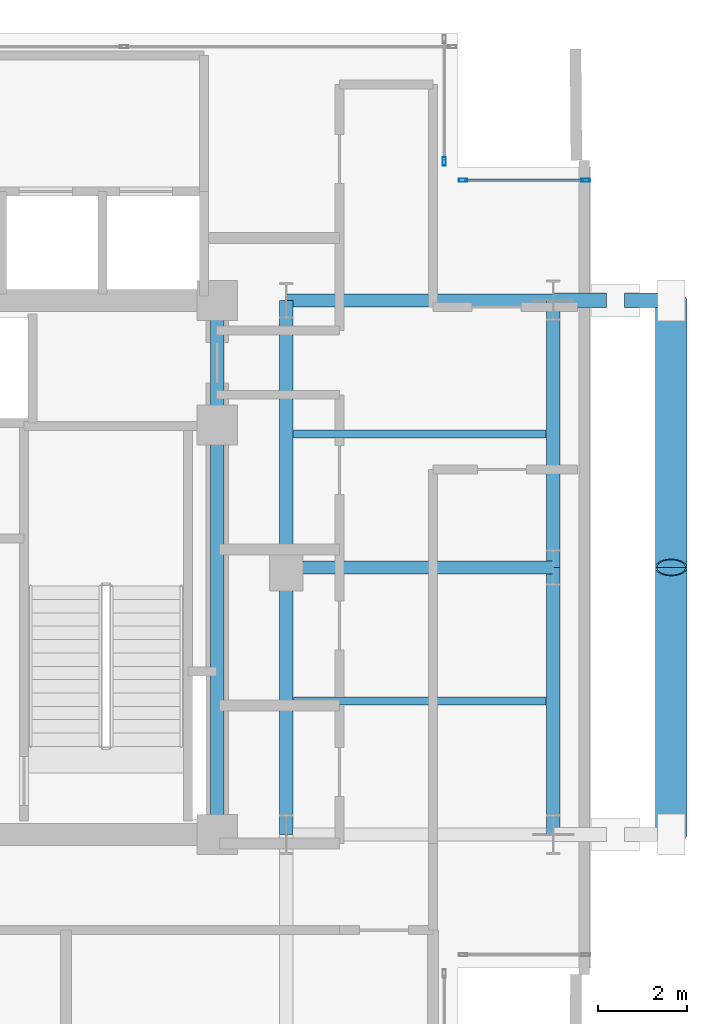
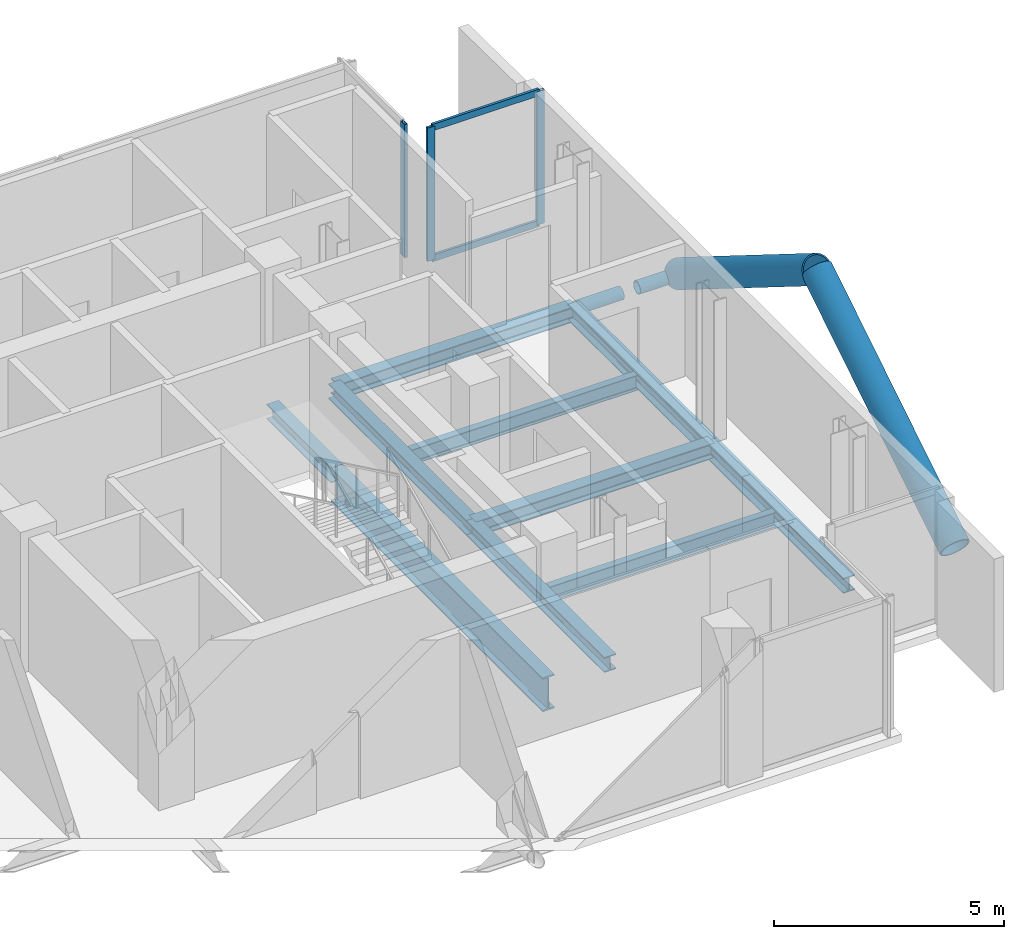
# One storey, part 11 of 21: 10 beams, 9 members, 2 elements without a shape of their own.
"""IFC4 building model written with IfcOpenShell, lengths in metres."""

from ifc_helpers import new_model, si_unit, direction, frame, origin, origin_2d, place, context, subcontext, project, spatial, hollow_rectangle, hollow_circle, i_section, extrude, material, layer, layer_set, material_profile, profile_set, type_object, element, aggregate, save


model = new_model("IFC4")

# Units and contexts
model_context = context("Model", 3, precision=1e-05, world=origin(), true_north=direction((0.0, 1.0)))
body_context = subcontext(model_context, "Body", "Model", "MODEL_VIEW")
ifc_project = project(units=[si_unit("LENGTHUNIT", "METRE"), si_unit("AREAUNIT", "SQUARE_METRE"), si_unit("VOLUMEUNIT", "CUBIC_METRE"), si_unit("PLANEANGLEUNIT", "RADIAN"), si_unit("MASSUNIT", "GRAM", prefix="KILO"), si_unit("THERMODYNAMICTEMPERATUREUNIT", "KELVIN"), si_unit("POWERUNIT", "WATT")], contexts=[model_context])

# Site, building, storey
site_placement = place(None, origin())
site = spatial("IfcSite", under=ifc_project, at=site_placement, CompositionType="ELEMENT")
building_placement = place(site_placement, origin())
building = spatial("IfcBuilding", under=site, at=building_placement, Name="Svarakhadi Broadcast Tower", CompositionType="ELEMENT")
storey_placement = place(building_placement, frame((0.0, 0.0, 187.949951171875)))
storey = spatial("IfcBuildingStorey", under=building, at=storey_placement, Name="L46", CompositionType="ELEMENT", Elevation=187.949951171875)

# Beams
ifc_material_1 = material(Name="Steel S355J2 (IS 2062 E350C)", Category="steel")
ifc_material_profile_1 = material_profile(ifc_material_1, i_section(OverallWidth=0.179931640625, OverallDepth=0.39990234375, WebThickness=0.008544921875, FlangeThickness=0.013427734375, FilletRadius=0.02099609375, at=origin_2d()), Name="NPB 400x180x66")
ifc_profile_set_1 = profile_set([ifc_material_profile_1], Name="Steel S355J2 (IS 2062 E350C)")
beam_type_1 = type_object("IfcBeamType", Name="Beam_NPB400", PredefinedType="BEAM", material=ifc_profile_set_1)
for number, where, z_axis, x_axis, name in (
    (1, (35.31005859375, 9.0, -0.409912109375), (1.0, 0.0, 0.0), (0.0, 1.0, 0.0), "L46 Secondary Composite Beam SB016"),
    (2, (35.31005859375, 15.0, -0.409912109375), (1.0, 0.0, 0.0), (0.0, 1.0, 0.0), "L46 Secondary Composite Beam SB017"),
):
    element("IfcBeam", number, at=place(storey_placement, frame(where, z_axis=z_axis, x_axis=x_axis)), inside=storey, type_object=beam_type_1, Name=name, PredefinedType="BEAM", context=body_context, shape_type="SweptSolid", body=[
        extrude(i_section(OverallWidth=0.179931640625, OverallDepth=0.39990234375, WebThickness=0.008544921875, FlangeThickness=0.013427734375, FilletRadius=0.02099609375, at=origin_2d()), origin(), (0.0, 0.0, 1.0), 5.679931640625),
    ])

# Curtain wall, member
ifc_material_2 = material(Name="Anodised Bronze Aluminium AA 6063-T6", Category="aluminium")
ifc_layer = layer(ifc_material_2, 0.18994140625)
ifc_layer_set = layer_set([ifc_layer], Name="Anodised Bronze Aluminium AA 6063-T6")
curtain_wall_type = type_object("IfcCurtainWallType", Name="CW_Sys_04", PredefinedType="NOTDEFINED", material=ifc_layer_set)
curtain_wall_1_placement = place(storey_placement, origin())
curtain_wall_1 = element("IfcCurtainWall", 3, at=curtain_wall_1_placement, inside=storey, type_object=curtain_wall_type, Name="L46 Unitised Facade Curtain Wall 11", PredefinedType="NOTDEFINED")
ifc_material_profile_2 = material_profile(ifc_material_2, hollow_rectangle(XDim=0.070068359375, YDim=0.18994140625, WallThickness=0.005615234375, at=origin_2d()), Name="ALU MULLION 190x70x6")
ifc_profile_set_2 = profile_set([ifc_material_profile_2], Name="Anodised Bronze Aluminium AA 6063-T6")
member_type_1 = type_object("IfcMemberType", Name="CW_Sys_04_Mul", PredefinedType="MULLION", material=ifc_profile_set_2)
member_1_placement = place(storey_placement, frame((38.699951171875, 21.125, 0.0), z_axis=(0.0, 0.0, 1.0), x_axis=(1.0, 0.0, 0.0)))
member_1 = element("IfcMember", 4, at=member_1_placement, type_object=member_type_1, Name="CW-04 mullion 2", PredefinedType="MULLION", context=body_context, shape_type="SweptSolid", body=[
    extrude(hollow_rectangle(XDim=0.070068359375, YDim=0.18994140625, WallThickness=0.005615234375, at=origin_2d()), origin(), (0.0, 0.0, 1.0), 3.5400390625),
])
aggregate(curtain_wall_1, [member_1])

# Curtain wall, members
curtain_wall_2_placement = place(storey_placement, origin())
curtain_wall_2 = element("IfcCurtainWall", 5, at=curtain_wall_2_placement, inside=storey, type_object=curtain_wall_type, Name="L46 Unitised Facade Curtain Wall 12", PredefinedType="NOTDEFINED")
member_2_placement = place(storey_placement, frame((39.125, 20.699951171875, 0.0), z_axis=(0.0, 0.0, 1.0), x_axis=(0.0, 1.0, 0.0)))
member_2 = element("IfcMember", 6, at=member_2_placement, type_object=member_type_1, Name="CW-04 mullion 1", PredefinedType="MULLION", context=body_context, shape_type="SweptSolid", body=[
    extrude(hollow_rectangle(XDim=0.070068359375, YDim=0.18994140625, WallThickness=0.005615234375, at=origin_2d()), origin(), (0.0, 0.0, 1.0), 3.5400390625),
])
member_3_placement = place(storey_placement, frame((41.875, 20.699951171875, 0.0), z_axis=(0.0, 0.0, 1.0), x_axis=(0.0, 1.0, 0.0)))
member_3 = element("IfcMember", 7, at=member_3_placement, type_object=member_type_1, Name="CW-04 mullion 2", PredefinedType="MULLION", context=body_context, shape_type="SweptSolid", body=[
    extrude(hollow_rectangle(XDim=0.070068359375, YDim=0.18994140625, WallThickness=0.005615234375, at=origin_2d()), origin(), (0.0, 0.0, 1.0), 3.5400390625),
])
ifc_material_profile_3 = material_profile(ifc_material_2, hollow_rectangle(XDim=0.06494140625, YDim=0.175048828125, WallThickness=0.0048828125, at=origin_2d()), Name="ALU TRANSOM 175x65x5")
ifc_profile_set_3 = profile_set([ifc_material_profile_3], Name="Anodised Bronze Aluminium AA 6063-T6")
member_type_2 = type_object("IfcMemberType", Name="CW_Sys_04_Trn", PredefinedType="USERDEFINED", material=ifc_profile_set_3)
member_4_placement = place(storey_placement, frame((39.159912109375, 20.699951171875, 0.032470703125), z_axis=(1.0, 0.0, 0.0), x_axis=(0.0, 1.0, 0.0)))
member_4 = element("IfcMember", 8, at=member_4_placement, type_object=member_type_2, Name="CW-04 transom 1.1", ObjectType="TRANSOM", PredefinedType="USERDEFINED", context=body_context, shape_type="SweptSolid", body=[
    extrude(hollow_rectangle(XDim=0.06494140625, YDim=0.175048828125, WallThickness=0.0048828125, at=origin_2d()), origin(), (0.0, 0.0, 1.0), 2.68017578125),
])
member_5_placement = place(storey_placement, frame((39.159912109375, 20.699951171875, 3.507568359375), z_axis=(1.0, 0.0, 0.0), x_axis=(0.0, 1.0, 0.0)))
member_5 = element("IfcMember", 9, at=member_5_placement, type_object=member_type_2, Name="CW-04 transom 1.2", ObjectType="TRANSOM", PredefinedType="USERDEFINED", context=body_context, shape_type="SweptSolid", body=[
    extrude(hollow_rectangle(XDim=0.06494140625, YDim=0.175048828125, WallThickness=0.0048828125, at=origin_2d()), origin(), (0.0, 0.0, 1.0), 2.68017578125),
])
aggregate(curtain_wall_2, [member_2, member_3, member_4, member_5])

# Members
ifc_material_3 = material(Name="Steel S460ML (IS 2062 E450BR)", Category="steel")
ifc_material_profile_4 = material_profile(ifc_material_3, hollow_circle(Radius=0.35546875, WallThickness=0.034912109375, at=origin_2d()), Name="CHS 711x35")
ifc_profile_set_4 = profile_set([ifc_material_profile_4], Name="Steel S460ML (IS 2062 E450BR)")
member_type_3 = type_object("IfcMemberType", Name="Exo_Brace_CHS711", PredefinedType="BRACE", material=ifc_profile_set_4)
for number, where, z_axis, x_axis, name in (
    (10, (43.800048828125, 6.0, -0.371826171875), (0.0, 0.847998304005, 0.529998940003), (-1.0, 0.0, 0.0), "L46 Exposed Bronze Exoskeleton Diagonal E04"),
    (11, (43.800048828125, 18.0, -0.371826171875), (0.0, -0.847998304005, 0.529998940003), (1.0, 0.0, 0.0), "L46 Exposed Bronze Exoskeleton Diagonal E05"),
):
    element("IfcMember", number, at=place(storey_placement, frame(where, z_axis=z_axis, x_axis=x_axis)), inside=storey, type_object=member_type_3, Name=name, PredefinedType="BRACE", context=body_context, shape_type="SweptSolid", body=[
        extrude(hollow_circle(Radius=0.35546875, WallThickness=0.034912109375, at=origin_2d()), origin(), (0.0, 0.0, 1.0), 7.075439453125),
    ])
ifc_material_profile_5 = material_profile(ifc_material_3, hollow_circle(Radius=0.161865234375, WallThickness=0.01611328125, at=origin_2d()), Name="CHS 323.9x16")
ifc_profile_set_5 = profile_set([ifc_material_profile_5], Name="Steel S460ML (IS 2062 E450BR)")
member_type_4 = type_object("IfcMemberType", Name="Exo_Radial_Strut_Z2", PredefinedType="STRUT", material=ifc_profile_set_5)
member_6_placement = place(storey_placement, frame((43.800048828125, 18.0, -0.371826171875), z_axis=(-1.0, 0.0, 0.0), x_axis=(0.0, -1.0, 0.0)))
element("IfcMember", 12, at=member_6_placement, inside=storey, type_object=member_type_4, Name="L46 Exoskeleton Radial Tie Strut E08A", PredefinedType="STRUT", context=body_context, shape_type="SweptSolid", body=[
    extrude(hollow_circle(Radius=0.161865234375, WallThickness=0.01611328125, at=origin_2d()), origin(), (0.0, 0.0, 1.0), 1.0517578125),
])
member_7_placement = place(storey_placement, frame((42.34228515625, 18.0, -0.371826171875), z_axis=(-1.0, 0.0, 0.0), x_axis=(0.0, -1.0, 0.0)))
element("IfcMember", 13, at=member_7_placement, inside=storey, type_object=member_type_4, Name="L46 Exoskeleton Radial Tie Strut E08B", PredefinedType="STRUT", context=body_context, shape_type="SweptSolid", body=[
    extrude(hollow_circle(Radius=0.161865234375, WallThickness=0.01611328125, at=origin_2d()), origin(), (0.0, 0.0, 1.0), 1.1923828125),
])

# Beams
ifc_material_profile_6 = material_profile(ifc_material_1, i_section(OverallWidth=0.300048828125, OverallDepth=0.39990234375, WebThickness=0.013427734375, FlangeThickness=0.02392578125, FilletRadius=0.027099609375, at=origin_2d()), Name="WPB 400x300x155")
ifc_profile_set_6 = profile_set([ifc_material_profile_6], Name="Steel S355J2 (IS 2062 E350C)")
beam_type_2 = type_object("IfcBeamType", Name="Girder_WPB400", PredefinedType="USERDEFINED", material=ifc_profile_set_6)
for number, where, z_axis, x_axis, name in (
    (14, (35.14990234375, 12.0, -0.409912109375), (1.0, 0.0, 0.0), (0.0, 1.0, 0.0), "L46 Primary E-W Girder G019"),
    (15, (35.14990234375, 18.0, -0.409912109375), (1.0, 0.0, 0.0), (0.0, 1.0, 0.0), "L46 Primary E-W Girder G025"),
):
    element("IfcBeam", number, at=place(storey_placement, frame(where, z_axis=z_axis, x_axis=x_axis)), inside=storey, type_object=beam_type_2, Name=name, ObjectType="GIRDER", PredefinedType="USERDEFINED", context=body_context, shape_type="SweptSolid", body=[
        extrude(i_section(OverallWidth=0.300048828125, OverallDepth=0.39990234375, WebThickness=0.013427734375, FlangeThickness=0.02392578125, FilletRadius=0.027099609375, at=origin_2d()), origin(), (0.0, 0.0, 1.0), 6.0),
    ])
beam_1_placement = place(storey_placement, frame((33.60009765625, 15.199951171875, -0.409912109375), z_axis=(0.0, 1.0, 0.0), x_axis=(-1.0, 0.0, 0.0)))
element("IfcBeam", 16, at=beam_1_placement, inside=storey, type_object=beam_type_2, Name="L46 Primary N-S Girder G055", ObjectType="GIRDER", PredefinedType="USERDEFINED", context=body_context, shape_type="SweptSolid", body=[
    extrude(i_section(OverallWidth=0.300048828125, OverallDepth=0.39990234375, WebThickness=0.013427734375, FlangeThickness=0.02392578125, FilletRadius=0.027099609375, at=origin_2d()), origin(), (0.0, 0.0, 1.0), 2.800048828125),
])
for number, where, z_axis, x_axis, name in (
    (17, (35.14990234375, 6.0, -0.409912109375), (0.0, 1.0, 0.0), (-1.0, 0.0, 0.0), "L46 Primary N-S Girder G057"),
    (18, (35.14990234375, 12.0, -0.409912109375), (0.0, 1.0, 0.0), (-1.0, 0.0, 0.0), "L46 Primary N-S Girder G058"),
    (19, (41.14990234375, 6.0, -0.409912109375), (0.0, 1.0, 0.0), (-1.0, 0.0, 0.0), "L46 Primary N-S Girder G059"),
    (20, (41.14990234375, 12.0, -0.409912109375), (0.0, 1.0, 0.0), (-1.0, 0.0, 0.0), "L46 Primary N-S Girder G060"),
):
    element("IfcBeam", number, at=place(storey_placement, frame(where, z_axis=z_axis, x_axis=x_axis)), inside=storey, type_object=beam_type_2, Name=name, ObjectType="GIRDER", PredefinedType="USERDEFINED", context=body_context, shape_type="SweptSolid", body=[
        extrude(i_section(OverallWidth=0.300048828125, OverallDepth=0.39990234375, WebThickness=0.013427734375, FlangeThickness=0.02392578125, FilletRadius=0.027099609375, at=origin_2d()), origin(), (0.0, 0.0, 1.0), 6.0),
    ])
ifc_material_profile_7 = material_profile(ifc_material_3, i_section(OverallWidth=0.300048828125, OverallDepth=0.89990234375, WebThickness=0.0185546875, FlangeThickness=0.034912109375, FilletRadius=0.030029296875, at=origin_2d()), Name="WPB 900x300x291")
ifc_profile_set_7 = profile_set([ifc_material_profile_7], Name="Steel S460ML (IS 2062 E450BR)")
beam_type_3 = type_object("IfcBeamType", Name="Girder_WPB900", PredefinedType="USERDEFINED", material=ifc_profile_set_7)
beam_2_placement = place(storey_placement, frame((33.60009765625, 6.0, -0.659912109375), z_axis=(0.0, 1.0, 0.0), x_axis=(-1.0, 0.0, 0.0)))
element("IfcBeam", 21, at=beam_2_placement, inside=storey, type_object=beam_type_3, Name="L46 Primary N-S Girder G054", ObjectType="GIRDER", PredefinedType="USERDEFINED", context=body_context, shape_type="SweptSolid", body=[
    extrude(i_section(OverallWidth=0.300048828125, OverallDepth=0.89990234375, WebThickness=0.0185546875, FlangeThickness=0.034912109375, FilletRadius=0.030029296875, at=origin_2d()), origin(), (0.0, 0.0, 1.0), 9.199951171875),
])

save(model, "model.ifc")
